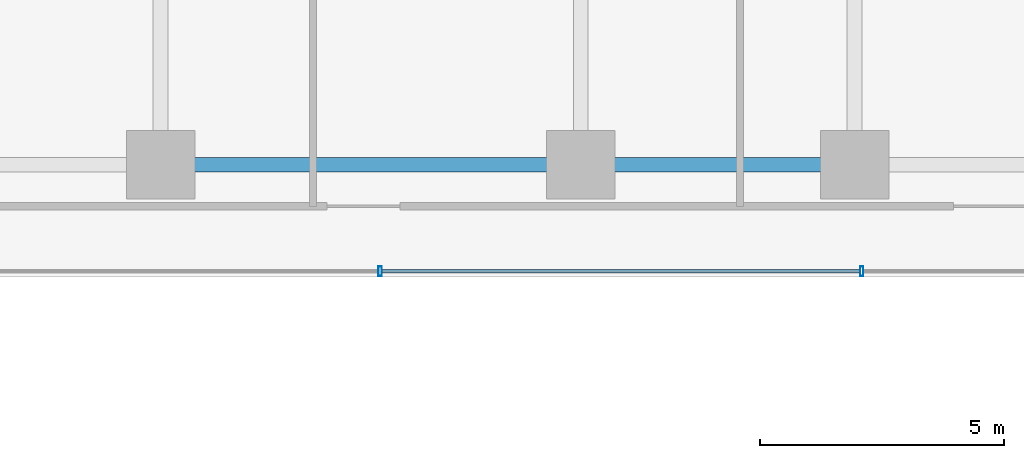
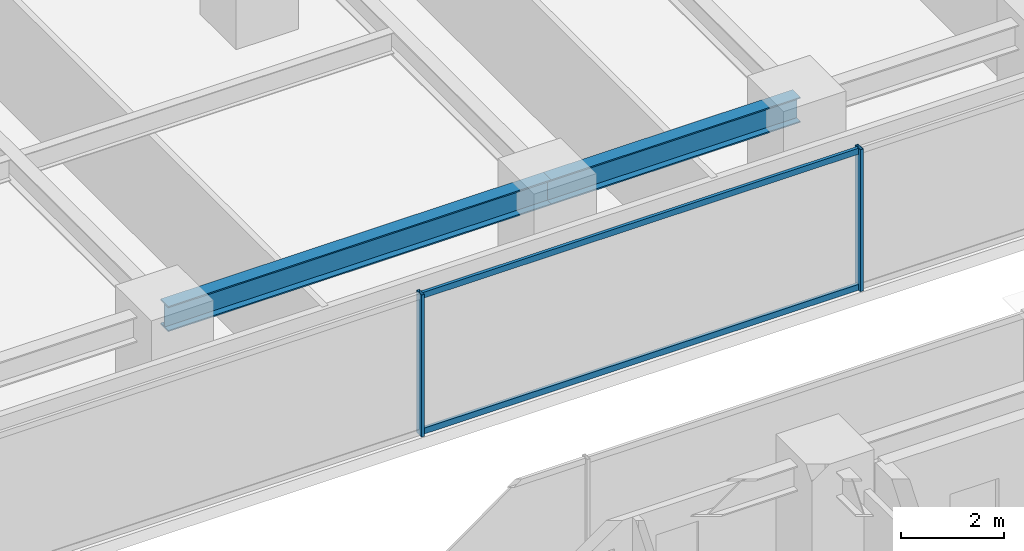
# One storey, part 10 of 43: 4 members, 2 beams, 1 element without a shape of its own.
"""IFC4 building model written with IfcOpenShell, lengths in metres."""

from ifc_helpers import new_model, si_unit, direction, frame, origin, origin_2d, place, context, subcontext, project, spatial, hollow_rectangle, i_section, extrude, source, transform, mapped, material, material_profile, profile_set, type_object, element, aggregate, save


model = new_model("IFC4")

# Units and contexts
model_context = context("Model", 3, precision=1e-05, world=origin(), true_north=direction((0.0, 1.0)))
body_context = subcontext(model_context, "Body", "Model", "MODEL_VIEW")
ifc_project = project(units=[si_unit("LENGTHUNIT", "METRE"), si_unit("AREAUNIT", "SQUARE_METRE"), si_unit("VOLUMEUNIT", "CUBIC_METRE"), si_unit("PLANEANGLEUNIT", "RADIAN"), si_unit("MASSUNIT", "GRAM", prefix="KILO")], contexts=[model_context])

# Site, building, storey
site_placement = place(None, origin())
site = spatial("IfcSite", under=ifc_project, at=site_placement, CompositionType="ELEMENT")
building_placement = place(site_placement, origin())
building = spatial("IfcBuilding", under=site, at=building_placement, Name="Nahalor Promenade Grand Hotel", CompositionType="ELEMENT")
storey_placement = place(building_placement, frame((0.0, 0.0, 47.0)))
storey = spatial("IfcBuildingStorey", under=building, at=storey_placement, Name="L10", CompositionType="ELEMENT", Elevation=47.0)

# Beams
ifc_material_1 = material(Name="Steel S355JR", Category="steel")
ifc_material_profile_1 = material_profile(ifc_material_1, i_section(OverallWidth=0.3, OverallDepth=0.6, WebThickness=0.0155, FlangeThickness=0.03, at=origin_2d()), Name="HEB 600")
ifc_profile_set_1 = profile_set([ifc_material_profile_1], Name="Steel S355JR")
beam_type = type_object("IfcBeamType", Name="Beam-Girder-HEB600", PredefinedType="BEAM", material=ifc_profile_set_1)
shared_shape_1 = source(origin(), body_context, "Body", "SweptSolid", [
    extrude(i_section(OverallWidth=0.3, OverallDepth=0.6, WebThickness=0.0155, FlangeThickness=0.03, at=origin_2d()), origin(), (0.0, 0.0, 1.0), 8.60009765625),
])
beam_1_placement = place(storey_placement, frame((-17.0, 5.39990234375, 3.070068359375), z_axis=(1.0, 0.0, 0.0), x_axis=(0.0, 1.0, 0.0)))
element("IfcBeam", 1, at=beam_1_placement, inside=storey, type_object=beam_type, Name="BM-L10-GX-2-1", PredefinedType="BEAM", context=body_context, shape_type="MappedRepresentation", body=[
    mapped(shared_shape_1, transform((0.0, 0.0, 0.0), scale=1.0)),
])
shared_shape_2 = source(origin(), body_context, "Body", "SweptSolid", [
    extrude(i_section(OverallWidth=0.3, OverallDepth=0.6, WebThickness=0.0155, FlangeThickness=0.03, at=origin_2d()), origin(), (0.0, 0.0, 1.0), 5.599853515625),
])
beam_2_placement = place(storey_placement, frame((-8.39990234375, 5.39990234375, 3.070068359375), z_axis=(1.0, 0.0, 0.0), x_axis=(0.0, 1.0, 0.0)))
element("IfcBeam", 2, at=beam_2_placement, inside=storey, type_object=beam_type, Name="BM-L10-GX-2-2", PredefinedType="BEAM", context=body_context, shape_type="MappedRepresentation", body=[
    mapped(shared_shape_2, transform((0.0, 0.0, 0.0), scale=1.0)),
])

# Curtain wall, members
ifc_material_2 = material(Name="Anodised Bronze Aluminium EN AW-6063 T6", Category="aluminium")
curtain_wall_type = type_object("IfcCurtainWallType", Name="CW3 Elliptical-Void Collar Unitised Curtain Wall", PredefinedType="USERDEFINED", material=ifc_material_2)
curtain_wall_placement = place(storey_placement, origin())
curtain_wall = element("IfcCurtainWall", 3, at=curtain_wall_placement, inside=storey, type_object=curtain_wall_type, Name="L10 Curtain Wall CW-L10-VOID-WN1", ObjectType="UNITISED_CURTAIN_WALL", PredefinedType="USERDEFINED")
ifc_material_profile_2 = material_profile(ifc_material_2, hollow_rectangle(XDim=0.07, YDim=0.14, WallThickness=0.004, at=origin_2d()), Name="CWT 70x140x4")
ifc_profile_set_2 = profile_set([ifc_material_profile_2], Name="Anodised Bronze Aluminium EN AW-6063 T6")
member_type_1 = type_object("IfcMemberType", Name="CWT3 Void Collar Transom 70x140", PredefinedType="USERDEFINED", material=ifc_profile_set_2)
shared_shape_3 = source(origin(), body_context, "Body", "SweptSolid", [
    extrude(hollow_rectangle(XDim=0.07, YDim=0.14, WallThickness=0.004, at=origin_2d()), origin(), (0.0, 0.0, 1.0), 9.783447265625),
])
member_1_placement = place(storey_placement, frame((-12.4716796875, 3.219970703125, 0.070068359375), z_axis=(1.0, 0.0, 0.0), x_axis=(0.0, 1.0, 0.0)))
member_1 = element("IfcMember", 4, at=member_1_placement, type_object=member_type_1, Name="CW-L10-VOID-WN1 Transom 1-0", ObjectType="TRANSOM", PredefinedType="USERDEFINED", context=body_context, shape_type="MappedRepresentation", body=[
    mapped(shared_shape_3, transform((0.0, 0.0, 0.0), scale=1.0)),
])
member_2_placement = place(storey_placement, frame((-12.4716796875, 3.219970703125, 3.300048828125), z_axis=(1.0, 0.0, 0.0), x_axis=(0.0, 1.0, 0.0)))
member_2 = element("IfcMember", 5, at=member_2_placement, type_object=member_type_1, Name="CW-L10-VOID-WN1 Transom 1-1", ObjectType="TRANSOM", PredefinedType="USERDEFINED", context=body_context, shape_type="MappedRepresentation", body=[
    mapped(shared_shape_3, transform((0.0, 0.0, 0.0), scale=1.0)),
])
ifc_material_profile_3 = material_profile(ifc_material_2, hollow_rectangle(XDim=0.07, YDim=0.2, WallThickness=0.005, at=origin_2d()), Name="CWM 70x200x5")
ifc_profile_set_3 = profile_set([ifc_material_profile_3], Name="Anodised Bronze Aluminium EN AW-6063 T6")
member_type_2 = type_object("IfcMemberType", Name="CWM3 Void Collar Mullion 70x200", PredefinedType="MULLION", material=ifc_profile_set_3)
shared_shape_4 = source(origin(), body_context, "Body", "SweptSolid", [
    extrude(hollow_rectangle(XDim=0.07, YDim=0.2, WallThickness=0.005, at=origin_2d()), origin(), (0.0, 0.0, 1.0), 3.3701171875),
])
member_3_placement = place(storey_placement, frame((-12.506591796875, 3.219970703125, 0.0), z_axis=(0.0, 0.0, 1.0), x_axis=(1.0, 0.0, 0.0)))
member_3 = element("IfcMember", 6, at=member_3_placement, type_object=member_type_2, Name="CW-L10-VOID-WN1 Mullion 1", PredefinedType="MULLION", context=body_context, shape_type="MappedRepresentation", body=[
    mapped(shared_shape_4, transform((0.0, 0.0, 0.0), scale=1.0)),
])
member_4_placement = place(storey_placement, frame((-2.6533203125, 3.219970703125, 0.0), z_axis=(0.0, 0.0, 1.0), x_axis=(1.0, 0.0, 0.0)))
member_4 = element("IfcMember", 7, at=member_4_placement, type_object=member_type_2, Name="CW-L10-VOID-WN1 Mullion 2", PredefinedType="MULLION", context=body_context, shape_type="MappedRepresentation", body=[
    mapped(shared_shape_4, transform((0.0, 0.0, 0.0), scale=1.0)),
])
aggregate(curtain_wall, [member_3, member_4, member_1, member_2])

save(model, "model.ifc")
